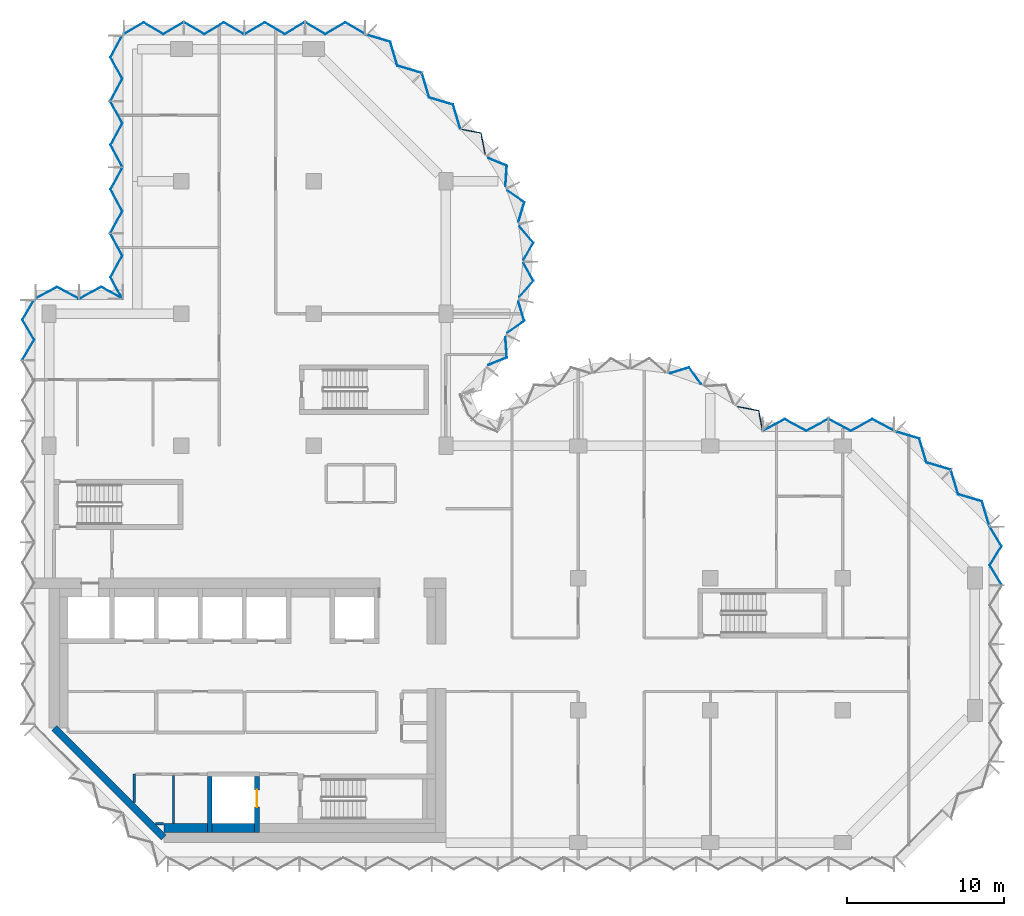
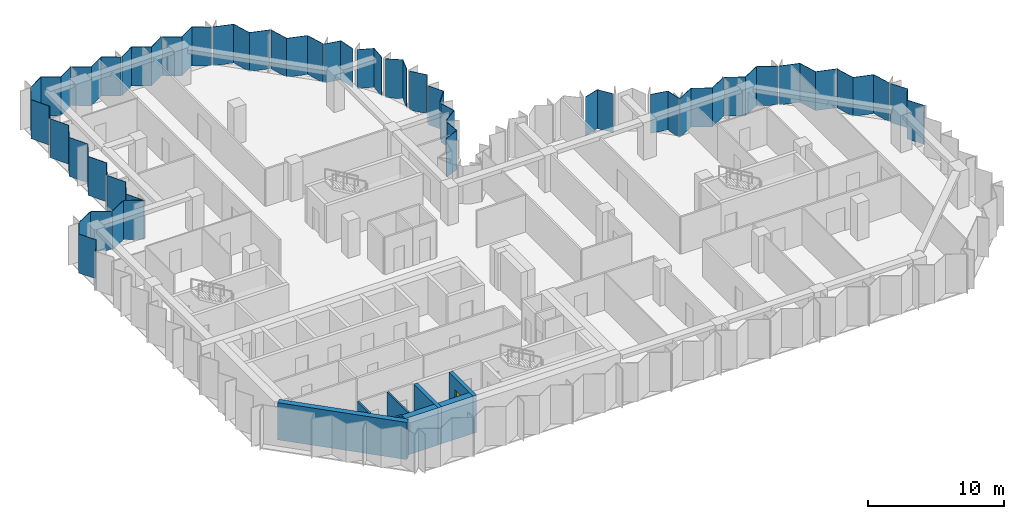
# One storey, part 4 of 10: 27 plates, 8 walls, 1 door, 1 opening, 10 elements without a shape of their own.
"""IFC4 building model written with IfcOpenShell, lengths in metres."""

from ifc_helpers import new_model, si_unit, direction, frame, frame_2d, origin, place, context, subcontext, project, spatial, polyline, rectangle, outline, extrude, material, layer, layer_set, type_object, element, fill, aggregate, save


model = new_model("IFC4")

# Units and contexts
model_context = context("Model", 3, precision=1e-05, world=origin(), true_north=direction((0.0, 1.0)))
body_context = subcontext(model_context, "Body", "Model", "MODEL_VIEW")
ifc_project = project(units=[si_unit("LENGTHUNIT", "METRE"), si_unit("AREAUNIT", "SQUARE_METRE"), si_unit("VOLUMEUNIT", "CUBIC_METRE"), si_unit("PLANEANGLEUNIT", "RADIAN"), si_unit("MASSUNIT", "GRAM", prefix="KILO")], contexts=[model_context])

# Site, building, storey
site_placement = place(None, origin())
site = spatial("IfcSite", under=ifc_project, at=site_placement, CompositionType="ELEMENT")
building_placement = place(site_placement, origin())
building = spatial("IfcBuilding", under=site, at=building_placement, Name="Brevane Broadcast Tower", CompositionType="ELEMENT")
storey_placement = place(building_placement, frame((0.0, 0.0, 166.800048828125)))
storey = spatial("IfcBuildingStorey", under=building, at=storey_placement, Name="L41", CompositionType="ELEMENT", Elevation=166.800048828125)

# Curtain wall, plate
ifc_material_1 = material(Name="Aluminium 6063-T6 bronze anodised", Category="aluminium")
curtain_wall_type = type_object("IfcCurtainWallType", Name="CW-1 curtain wall", PredefinedType="NOTDEFINED", material=ifc_material_1)
curtain_wall_1_placement = place(storey_placement, origin())
curtain_wall_1 = element("IfcCurtainWall", 1, at=curtain_wall_1_placement, inside=storey, type_object=curtain_wall_type, Name="CW-1 typical tilted unit L41 east end", PredefinedType="NOTDEFINED")
ifc_material_2 = material(Name="Laminated glass bronze-tinted", Category="glass")
ifc_layer_1 = layer(ifc_material_2, 0.0400390625)
ifc_layer_set_1 = layer_set([ifc_layer_1], Name="CW tall glass panel 40")
plate_type = type_object("IfcPlateType", Name="CW tall glass panel 40", PredefinedType="CURTAIN_PANEL", material=ifc_layer_set_1)
plate_1_placement = place(storey_placement, frame((0.0, 0.0, -0.150146484375)))
plate_1 = element("IfcPlate", 2, at=plate_1_placement, type_object=plate_type, Name="CW-1 glass panel", PredefinedType="CURTAIN_PANEL", context=body_context, shape_type="SweptSolid", body=[
    extrude(outline(polyline([(60.470947265625, 16.385009765625), (60.517822265625, 16.385009765625), (59.7734375, 17.61181640625), (60.517822265625, 18.83837890625), (59.7734375, 20.06494140625), (59.7265625, 20.06494140625), (60.470947265625, 18.83837890625), (59.7265625, 17.61181640625), (60.470947265625, 16.385009765625)])), origin(), (0.0, 0.0, 1.0), 3.5),
])
aggregate(curtain_wall_1, [plate_1])

# Curtain wall, plates
curtain_wall_2_placement = place(storey_placement, origin())
curtain_wall_2 = element("IfcCurtainWall", 3, at=curtain_wall_2_placement, inside=storey, type_object=curtain_wall_type, Name="CW-1 typical tilted unit L41 north-east chamfer", PredefinedType="NOTDEFINED")
plate_2_placement = place(storey_placement, frame((0.0, 0.0, -0.150146484375)))
plate_2 = element("IfcPlate", 4, at=plate_2_placement, type_object=plate_type, Name="CW-1 glass panel", PredefinedType="CURTAIN_PANEL", context=body_context, shape_type="SweptSolid", body=[
    extrude(outline(polyline([(59.694580078125, 20.14404296875), (59.7265625, 20.176025390625), (59.26953125, 21.68603515625), (57.759521484375, 22.14306640625), (57.302490234375, 23.653076171875), (57.2705078125, 23.620849609375), (57.7275390625, 22.111083984375), (59.2373046875, 21.65380859375), (59.694580078125, 20.14404296875)])), origin(), (0.0, 0.0, 1.0), 3.5),
])
plate_3_placement = place(storey_placement, frame((0.0, 0.0, -0.150146484375)))
plate_3 = element("IfcPlate", 5, at=plate_3_placement, type_object=plate_type, Name="CW-1 glass panel", PredefinedType="CURTAIN_PANEL", context=body_context, shape_type="SweptSolid", body=[
    extrude(outline(polyline([(57.220947265625, 23.67041015625), (57.2529296875, 23.702392578125), (55.7431640625, 24.15966796875), (55.285888671875, 25.66943359375), (53.776123046875, 26.126708984375), (53.744140625, 26.094482421875), (55.25390625, 25.637451171875), (55.711181640625, 24.127685546875), (57.220947265625, 23.67041015625)])), origin(), (0.0, 0.0, 1.0), 3.5),
])
aggregate(curtain_wall_2, [plate_2, plate_3])

curtain_wall_3_placement = place(storey_placement, origin())
curtain_wall_3 = element("IfcCurtainWall", 6, at=curtain_wall_3_placement, inside=storey, type_object=curtain_wall_type, Name="CW-1 typical tilted unit L41 east arm north face", PredefinedType="NOTDEFINED")
plate_4_placement = place(storey_placement, frame((0.0, 0.0, -0.150146484375)))
plate_4 = element("IfcPlate", 7, at=plate_4_placement, type_object=plate_type, Name="CW-1 glass panel", PredefinedType="CURTAIN_PANEL", context=body_context, shape_type="SweptSolid", body=[
    extrude(outline(polyline([(53.6650390625, 26.127197265625), (53.6650390625, 26.172607421875), (52.288330078125, 26.9169921875), (50.91162109375, 26.172607421875), (49.534912109375, 26.9169921875), (49.534912109375, 26.87158203125), (50.91162109375, 26.127197265625), (52.288330078125, 26.87158203125), (53.6650390625, 26.127197265625)])), origin(), (0.0, 0.0, 1.0), 3.5),
])
plate_5_placement = place(storey_placement, frame((0.0, 0.0, -0.150146484375)))
plate_5 = element("IfcPlate", 8, at=plate_5_placement, type_object=plate_type, Name="CW-1 glass panel", PredefinedType="CURTAIN_PANEL", context=body_context, shape_type="SweptSolid", body=[
    extrude(outline(polyline([(49.465087890625, 26.87158203125), (49.465087890625, 26.9169921875), (48.08837890625, 26.172607421875), (46.711669921875, 26.9169921875), (45.3349609375, 26.172607421875), (45.3349609375, 26.127197265625), (46.711669921875, 26.87158203125), (48.08837890625, 26.127197265625), (49.465087890625, 26.87158203125)])), origin(), (0.0, 0.0, 1.0), 3.5),
])
aggregate(curtain_wall_3, [plate_4, plate_5])

curtain_wall_4_placement = place(storey_placement, origin())
curtain_wall_4 = element("IfcCurtainWall", 9, at=curtain_wall_4_placement, inside=storey, type_object=curtain_wall_type, Name="CW-1 typical tilted unit L41 east bow", PredefinedType="NOTDEFINED")
plate_6_placement = place(storey_placement, frame((0.0, 0.0, -0.150146484375)))
plate_6 = element("IfcPlate", 10, at=plate_6_placement, type_object=plate_type, Name="CW-1 glass panel", PredefinedType="CURTAIN_PANEL", context=body_context, shape_type="SweptSolid", body=[
    extrude(outline(polyline([(45.2939453125, 26.14404296875), (45.327880859375, 26.17919921875), (45.086181640625, 27.447265625), (43.738525390625, 27.71142578125), (43.7109375, 27.67626953125), (45.052001953125, 27.4130859375), (45.2939453125, 26.14404296875)])), origin(), (0.0, 0.0, 1.0), 3.5),
])
plate_7_placement = place(storey_placement, frame((0.0, 0.0, -0.150146484375)))
plate_7 = element("IfcPlate", 11, at=plate_7_placement, type_object=plate_type, Name="CW-1 glass panel", PredefinedType="CURTAIN_PANEL", context=body_context, shape_type="SweptSolid", body=[
    extrude(outline(polyline([(41.3994140625, 29.104248046875), (41.4189453125, 29.1455078125), (40.667724609375, 30.20166015625), (39.45068359375, 29.83349609375), (39.440185546875, 29.78857421875), (40.65185546875, 30.155029296875), (41.3994140625, 29.104248046875)])), origin(), (0.0, 0.0, 1.0), 3.5),
])
aggregate(curtain_wall_4, [plate_6, plate_7])

curtain_wall_5_placement = place(storey_placement, origin())
curtain_wall_5 = element("IfcCurtainWall", 12, at=curtain_wall_5_placement, inside=storey, type_object=curtain_wall_type, Name="CW-1 typical tilted unit L41 north bow", PredefinedType="NOTDEFINED")
plate_8_placement = place(storey_placement, frame((0.0, 0.0, -0.150146484375)))
plate_8 = element("IfcPlate", 13, at=plate_8_placement, type_object=plate_type, Name="CW-1 glass panel", PredefinedType="CURTAIN_PANEL", context=body_context, shape_type="SweptSolid", body=[
    extrude(outline(polyline([(27.8759765625, 30.343017578125), (27.912109375, 30.314697265625), (29.089111328125, 30.7958984375), (29.006591796875, 32.08935546875), (28.96533203125, 32.10888671875), (29.04736328125, 30.822265625), (27.8759765625, 30.343017578125)])), origin(), (0.0, 0.0, 1.0), 3.5),
])
plate_9_placement = place(storey_placement, frame((0.0, 0.0, -0.150146484375)))
plate_9 = element("IfcPlate", 14, at=plate_9_placement, type_object=plate_type, Name="CW-1 glass panel", PredefinedType="CURTAIN_PANEL", context=body_context, shape_type="SweptSolid", body=[
    extrude(outline(polyline([(29.104248046875, 32.400634765625), (29.1455078125, 32.381103515625), (30.20166015625, 33.132080078125), (29.83349609375, 34.349365234375), (29.78857421875, 34.359619140625), (30.155029296875, 33.148193359375), (29.104248046875, 32.400634765625)])), origin(), (0.0, 0.0, 1.0), 3.5),
])
plate_10_placement = place(storey_placement, frame((0.0, 0.0, -0.150146484375)))
plate_10 = element("IfcPlate", 15, at=plate_10_placement, type_object=plate_type, Name="CW-1 glass panel", PredefinedType="CURTAIN_PANEL", context=body_context, shape_type="SweptSolid", body=[
    extrude(outline(polyline([(29.859619140625, 34.6748046875), (29.903564453125, 34.664794921875), (30.779296875, 35.68310546875), (30.15869140625, 36.7919921875), (30.11279296875, 36.7919921875), (30.730712890625, 35.68798828125), (29.859619140625, 34.6748046875)])), origin(), (0.0, 0.0, 1.0), 3.5),
])
plate_11_placement = place(storey_placement, frame((0.0, 0.0, -0.150146484375)))
plate_11 = element("IfcPlate", 16, at=plate_11_placement, type_object=plate_type, Name="CW-1 glass panel", PredefinedType="CURTAIN_PANEL", context=body_context, shape_type="SweptSolid", body=[
    extrude(outline(polyline([(30.11279296875, 37.008056640625), (30.15869140625, 37.008056640625), (30.779296875, 38.116943359375), (29.903564453125, 39.13525390625), (29.859619140625, 39.125), (30.730712890625, 38.112060546875), (30.11279296875, 37.008056640625)])), origin(), (0.0, 0.0, 1.0), 3.5),
])
plate_12_placement = place(storey_placement, frame((0.0, 0.0, -0.150146484375)))
plate_12 = element("IfcPlate", 17, at=plate_12_placement, type_object=plate_type, Name="CW-1 glass panel", PredefinedType="CURTAIN_PANEL", context=body_context, shape_type="SweptSolid", body=[
    extrude(outline(polyline([(29.78857421875, 39.440185546875), (29.83349609375, 39.45068359375), (30.20166015625, 40.667724609375), (29.1455078125, 41.4189453125), (29.104248046875, 41.3994140625), (30.155029296875, 40.65185546875), (29.78857421875, 39.440185546875)])), origin(), (0.0, 0.0, 1.0), 3.5),
])
plate_13_placement = place(storey_placement, frame((0.0, 0.0, -0.150146484375)))
plate_13 = element("IfcPlate", 18, at=plate_13_placement, type_object=plate_type, Name="CW-1 glass panel", PredefinedType="CURTAIN_PANEL", context=body_context, shape_type="SweptSolid", body=[
    extrude(outline(polyline([(28.96533203125, 41.69091796875), (29.006591796875, 41.710693359375), (29.089111328125, 43.00390625), (27.912109375, 43.4853515625), (27.8759765625, 43.45703125), (29.04736328125, 42.977783203125), (28.96533203125, 41.69091796875)])), origin(), (0.0, 0.0, 1.0), 3.5),
])
plate_14_placement = place(storey_placement, frame((0.0, 0.0, -0.150146484375)))
plate_14 = element("IfcPlate", 19, at=plate_14_placement, type_object=plate_type, Name="CW-1 glass panel", PredefinedType="CURTAIN_PANEL", context=body_context, shape_type="SweptSolid", body=[
    extrude(outline(polyline([(27.67626953125, 43.7109375), (27.71142578125, 43.738525390625), (27.447265625, 45.086181640625), (26.17919921875, 45.327880859375), (26.14404296875, 45.2939453125), (27.4130859375, 45.052001953125), (27.67626953125, 43.7109375)])), origin(), (0.0, 0.0, 1.0), 3.5),
])
aggregate(curtain_wall_5, [plate_8, plate_9, plate_10, plate_11, plate_12, plate_13, plate_14])

curtain_wall_6_placement = place(storey_placement, origin())
curtain_wall_6 = element("IfcCurtainWall", 20, at=curtain_wall_6_placement, inside=storey, type_object=curtain_wall_type, Name="CW-1 typical tilted unit L41 north arm north-east chamfer", PredefinedType="NOTDEFINED")
plate_15_placement = place(storey_placement, frame((0.0, 0.0, -0.150146484375)))
plate_15 = element("IfcPlate", 21, at=plate_15_placement, type_object=plate_type, Name="CW-1 glass panel", PredefinedType="CURTAIN_PANEL", context=body_context, shape_type="SweptSolid", body=[
    extrude(outline(polyline([(26.094482421875, 45.343994140625), (26.126708984375, 45.376220703125), (25.66943359375, 46.885986328125), (24.15966796875, 47.343017578125), (23.702392578125, 48.85302734375), (23.67041015625, 48.82080078125), (24.127685546875, 47.31103515625), (25.637451171875, 46.85400390625), (26.094482421875, 45.343994140625)])), origin(), (0.0, 0.0, 1.0), 3.5),
])
plate_16_placement = place(storey_placement, frame((0.0, 0.0, -0.150146484375)))
plate_16 = element("IfcPlate", 22, at=plate_16_placement, type_object=plate_type, Name="CW-1 glass panel", PredefinedType="CURTAIN_PANEL", context=body_context, shape_type="SweptSolid", body=[
    extrude(outline(polyline([(23.620849609375, 48.870361328125), (23.653076171875, 48.902587890625), (22.14306640625, 49.359619140625), (21.68603515625, 50.869384765625), (20.176025390625, 51.32666015625), (20.14404296875, 51.294677734375), (21.65380859375, 50.83740234375), (22.111083984375, 49.32763671875), (23.620849609375, 48.870361328125)])), origin(), (0.0, 0.0, 1.0), 3.5),
])
aggregate(curtain_wall_6, [plate_15, plate_16])

curtain_wall_7_placement = place(storey_placement, origin())
curtain_wall_7 = element("IfcCurtainWall", 23, at=curtain_wall_7_placement, inside=storey, type_object=curtain_wall_type, Name="CW-1 typical tilted unit L41 north end", PredefinedType="NOTDEFINED")
plate_17_placement = place(storey_placement, frame((0.0, 0.0, -0.150146484375)))
plate_17 = element("IfcPlate", 24, at=plate_17_placement, type_object=plate_type, Name="CW-1 glass panel", PredefinedType="CURTAIN_PANEL", context=body_context, shape_type="SweptSolid", body=[
    extrude(outline(polyline([(20.06494140625, 51.326904296875), (20.06494140625, 51.373291015625), (18.804931640625, 52.11767578125), (17.544921875, 51.373291015625), (16.284912109375, 52.11767578125), (16.284912109375, 52.0712890625), (17.544921875, 51.326904296875), (18.804931640625, 52.0712890625), (20.06494140625, 51.326904296875)])), origin(), (0.0, 0.0, 1.0), 3.5),
])
plate_18_placement = place(storey_placement, frame((0.0, 0.0, -0.150146484375)))
plate_18 = element("IfcPlate", 25, at=plate_18_placement, type_object=plate_type, Name="CW-1 glass panel", PredefinedType="CURTAIN_PANEL", context=body_context, shape_type="SweptSolid", body=[
    extrude(outline(polyline([(16.215087890625, 52.0712890625), (16.215087890625, 52.11767578125), (14.955078125, 51.373291015625), (13.695068359375, 52.11767578125), (12.43505859375, 51.373291015625), (12.43505859375, 51.326904296875), (13.695068359375, 52.0712890625), (14.955078125, 51.326904296875), (16.215087890625, 52.0712890625)])), origin(), (0.0, 0.0, 1.0), 3.5),
])
plate_19_placement = place(storey_placement, frame((0.0, 0.0, -0.150146484375)))
plate_19 = element("IfcPlate", 26, at=plate_19_placement, type_object=plate_type, Name="CW-1 glass panel", PredefinedType="CURTAIN_PANEL", context=body_context, shape_type="SweptSolid", body=[
    extrude(outline(polyline([(12.364990234375, 51.326904296875), (12.364990234375, 51.373291015625), (11.10498046875, 52.11767578125), (9.844970703125, 51.373291015625), (8.5849609375, 52.11767578125), (8.5849609375, 52.0712890625), (9.844970703125, 51.326904296875), (11.10498046875, 52.0712890625), (12.364990234375, 51.326904296875)])), origin(), (0.0, 0.0, 1.0), 3.5),
])
plate_20_placement = place(storey_placement, frame((0.0, 0.0, -0.150146484375)))
plate_20 = element("IfcPlate", 27, at=plate_20_placement, type_object=plate_type, Name="CW-1 glass panel", PredefinedType="CURTAIN_PANEL", context=body_context, shape_type="SweptSolid", body=[
    extrude(outline(polyline([(8.514892578125, 52.0712890625), (8.514892578125, 52.11767578125), (7.2548828125, 51.373291015625), (5.9951171875, 52.11767578125), (4.735107421875, 51.373291015625), (4.735107421875, 51.326904296875), (5.9951171875, 52.0712890625), (7.2548828125, 51.326904296875), (8.514892578125, 52.0712890625)])), origin(), (0.0, 0.0, 1.0), 3.5),
])
aggregate(curtain_wall_7, [plate_17, plate_18, plate_19, plate_20])

curtain_wall_8_placement = place(storey_placement, origin())
curtain_wall_8 = element("IfcCurtainWall", 28, at=curtain_wall_8_placement, inside=storey, type_object=curtain_wall_type, Name="CW-1 typical tilted unit L41 north wing west face, lower block", PredefinedType="NOTDEFINED")
plate_21_placement = place(storey_placement, frame((0.0, 0.0, -0.150146484375)))
plate_21 = element("IfcPlate", 29, at=plate_21_placement, type_object=plate_type, Name="CW-1 glass panel", PredefinedType="CURTAIN_PANEL", context=body_context, shape_type="SweptSolid", body=[
    extrude(outline(polyline([(4.672607421875, 51.264892578125), (4.627197265625, 51.264892578125), (3.8828125, 49.88818359375), (4.627197265625, 48.51171875), (3.8828125, 47.135009765625), (3.92822265625, 47.135009765625), (4.672607421875, 48.51171875), (3.92822265625, 49.88818359375), (4.672607421875, 51.264892578125)])), origin(), (0.0, 0.0, 1.0), 3.5),
])
plate_22_placement = place(storey_placement, frame((0.0, 0.0, -0.150146484375)))
plate_22 = element("IfcPlate", 30, at=plate_22_placement, type_object=plate_type, Name="CW-1 glass panel", PredefinedType="CURTAIN_PANEL", context=body_context, shape_type="SweptSolid", body=[
    extrude(outline(polyline([(3.92822265625, 47.06494140625), (3.8828125, 47.06494140625), (4.627197265625, 45.688232421875), (3.8828125, 44.311767578125), (4.627197265625, 42.93505859375), (4.672607421875, 42.93505859375), (3.92822265625, 44.311767578125), (4.672607421875, 45.688232421875), (3.92822265625, 47.06494140625)])), origin(), (0.0, 0.0, 1.0), 3.5),
])
plate_23_placement = place(storey_placement, frame((0.0, 0.0, -0.150146484375)))
plate_23 = element("IfcPlate", 31, at=plate_23_placement, type_object=plate_type, Name="CW-1 glass panel", PredefinedType="CURTAIN_PANEL", context=body_context, shape_type="SweptSolid", body=[
    extrude(outline(polyline([(4.672607421875, 42.864990234375), (4.627197265625, 42.864990234375), (3.8828125, 41.48828125), (4.627197265625, 40.11181640625), (3.8828125, 38.735107421875), (3.92822265625, 38.735107421875), (4.672607421875, 40.11181640625), (3.92822265625, 41.48828125), (4.672607421875, 42.864990234375)])), origin(), (0.0, 0.0, 1.0), 3.5),
])
plate_24_placement = place(storey_placement, frame((0.0, 0.0, -0.150146484375)))
plate_24 = element("IfcPlate", 32, at=plate_24_placement, type_object=plate_type, Name="CW-1 glass panel", PredefinedType="CURTAIN_PANEL", context=body_context, shape_type="SweptSolid", body=[
    extrude(outline(polyline([(3.92822265625, 38.6650390625), (3.8828125, 38.6650390625), (4.627197265625, 37.288330078125), (3.8828125, 35.91162109375), (4.627197265625, 34.534912109375), (4.672607421875, 34.534912109375), (3.92822265625, 35.91162109375), (4.672607421875, 37.288330078125), (3.92822265625, 38.6650390625)])), origin(), (0.0, 0.0, 1.0), 3.5),
])
aggregate(curtain_wall_8, [plate_21, plate_22, plate_23, plate_24])

curtain_wall_9_placement = place(storey_placement, origin())
curtain_wall_9 = element("IfcCurtainWall", 33, at=curtain_wall_9_placement, inside=storey, type_object=curtain_wall_type, Name="CW-1 typical tilted unit L41 north wing west return, lower block", PredefinedType="NOTDEFINED")
plate_25_placement = place(storey_placement, frame((0.0, 0.0, -0.150146484375)))
plate_25 = element("IfcPlate", 34, at=plate_25_placement, type_object=plate_type, Name="CW-1 glass panel", PredefinedType="CURTAIN_PANEL", context=body_context, shape_type="SweptSolid", body=[
    extrude(outline(polyline([(4.6650390625, 34.527099609375), (4.6650390625, 34.57275390625), (3.300048828125, 35.317138671875), (1.93505859375, 34.57275390625), (1.93505859375, 34.527099609375), (3.300048828125, 35.271484375), (4.6650390625, 34.527099609375)])), origin(), (0.0, 0.0, 1.0), 3.5),
])
plate_26_placement = place(storey_placement, frame((0.0, 0.0, -0.150146484375)))
plate_26 = element("IfcPlate", 35, at=plate_26_placement, type_object=plate_type, Name="CW-1 glass panel", PredefinedType="CURTAIN_PANEL", context=body_context, shape_type="SweptSolid", body=[
    extrude(outline(polyline([(1.864990234375, 34.527099609375), (1.864990234375, 34.57275390625), (0.5, 35.317138671875), (-0.864990234375, 34.57275390625), (-0.864990234375, 34.527099609375), (0.5, 35.271484375), (1.864990234375, 34.527099609375)])), origin(), (0.0, 0.0, 1.0), 3.5),
])
aggregate(curtain_wall_9, [plate_25, plate_26])

# Curtain wall, plate
curtain_wall_10_placement = place(storey_placement, origin())
curtain_wall_10 = element("IfcCurtainWall", 36, at=curtain_wall_10_placement, inside=storey, type_object=curtain_wall_type, Name="CW-1 typical tilted unit L41 west face", PredefinedType="NOTDEFINED")
plate_27_placement = place(storey_placement, frame((0.0, 0.0, -0.150146484375)))
plate_27 = element("IfcPlate", 37, at=plate_27_placement, type_object=plate_type, Name="CW-1 glass panel", PredefinedType="CURTAIN_PANEL", context=body_context, shape_type="SweptSolid", body=[
    extrude(outline(polyline([(-0.9267578125, 34.465087890625), (-0.97314453125, 34.465087890625), (-1.717529296875, 33.20263671875), (-0.97314453125, 31.940185546875), (-1.717529296875, 30.677978515625), (-1.671142578125, 30.677978515625), (-0.9267578125, 31.940185546875), (-1.671142578125, 33.20263671875), (-0.9267578125, 34.465087890625)])), origin(), (0.0, 0.0, 1.0), 3.5),
])
aggregate(curtain_wall_10, [plate_27])

# Walls
ifc_material_3 = material(Name="Concrete C32/40", Category="concrete")
ifc_layer_2 = layer(ifc_material_3, 0.550048828125)
ifc_layer_set_2 = layer_set([ifc_layer_2], Name="Core chase wall 550 mm")
wall_type_1 = type_object("IfcWallType", Name="Core chase wall 550 mm", PredefinedType="PARTITIONING", material=ifc_layer_set_2)
wall_1_placement = place(storey_placement, frame((7.286376953125, 0.925048828125, 0.0), z_axis=(0.0, 0.0, 1.0), x_axis=(1.0, 0.0, 0.0)))
element("IfcWall", 38, at=wall_1_placement, inside=storey, type_object=wall_type_1, Name="L41 chase wall LS-1", PredefinedType="PARTITIONING", context=body_context, shape_type="SweptSolid", body=[
    extrude(rectangle(XDim=2.763671875, YDim=0.550048828125, at=frame_2d((1.3818359375, 0.0))), origin(), (0.0, 0.0, 1.0), 3.349853515625),
])
wall_2_placement = place(storey_placement, frame((10.35009765625, 0.925048828125, 0.0), z_axis=(0.0, 0.0, 1.0), x_axis=(1.0, 0.0, 0.0)))
element("IfcWall", 39, at=wall_2_placement, inside=storey, type_object=wall_type_1, Name="L41 chase wall LS-2-1", PredefinedType="PARTITIONING", context=body_context, shape_type="SweptSolid", body=[
    extrude(rectangle(XDim=2.699951171875, YDim=0.550048828125, at=frame_2d((1.35009765625, 0.0))), origin(), (0.0, 0.0, 1.0), 3.349853515625),
])
ifc_material_4 = material(Name="Gypsum board on steel studs", Category="steel")
ifc_layer_3 = layer(ifc_material_4, 0.14990234375)
ifc_layer_set_3 = layer_set([ifc_layer_3], Name="Core fire partition 150 mm")
wall_type_2 = type_object("IfcWallType", Name="Core fire partition 150 mm", PredefinedType="PARTITIONING", material=ifc_layer_set_3)
wall_3_placement = place(storey_placement, frame((5.39990234375, 2.553466796875, 0.0), z_axis=(0.0, 0.0, 1.0), x_axis=(0.0, 1.0, 0.0)))
element("IfcWall", 40, at=wall_3_placement, inside=storey, type_object=wall_type_2, Name="L41 partition wall P11", PredefinedType="PARTITIONING", context=body_context, shape_type="SweptSolid", body=[
    extrude(rectangle(XDim=1.796630859375, YDim=0.14990234375, at=frame_2d((0.8984375, 0.0))), origin(), (0.0, 0.0, 1.0), 3.349853515625),
])
wall_4_placement = place(storey_placement, frame((7.89990234375, 4.27490234375, 0.0), z_axis=(0.0, 0.0, 1.0), x_axis=(0.0, -1.0, 0.0)))
element("IfcWall", 41, at=wall_4_placement, inside=storey, type_object=wall_type_2, Name="L41 partition wall P13", PredefinedType="PARTITIONING", context=body_context, shape_type="SweptSolid", body=[
    extrude(rectangle(XDim=3.06298828125, YDim=0.14990234375, at=frame_2d((1.531494140625, 0.0))), origin(), (0.0, 0.0, 1.0), 3.349853515625),
])
wall_5_placement = place(storey_placement, frame((7.2744140625, 1.199951171875, 0.0), z_axis=(0.0, 0.0, 1.0), x_axis=(-1.0, 0.0, 0.0)))
element("IfcWall", 42, at=wall_5_placement, inside=storey, type_object=wall_type_2, Name="L41 partition wall P14", PredefinedType="PARTITIONING", context=body_context, shape_type="SweptSolid", body=[
    extrude(rectangle(XDim=0.52099609375, YDim=0.14990234375, at=frame_2d((0.260498046875, 0.0))), origin(), (0.0, 0.0, 1.0), 3.349853515625),
])
ifc_material_5 = material(Name="Concrete C60/75", Category="concrete")
ifc_layer_4 = layer(ifc_material_5, 0.300048828125)
ifc_layer_set_4 = layer_set([ifc_layer_4], Name="Core wall 300 mm C60/75")
wall_type_3 = type_object("IfcWallType", Name="Core wall 300 mm C60/75", PredefinedType="SHEAR", material=ifc_layer_set_4)
wall_6_placement = place(storey_placement, frame((10.199951171875, 0.64990234375, 0.0), z_axis=(0.0, 0.0, 1.0), x_axis=(0.0, 1.0, 0.0)))
element("IfcWall", 43, at=wall_6_placement, inside=storey, type_object=wall_type_3, Name="L41 shaft wall FF2-W", PredefinedType="SHEAR", context=body_context, shape_type="SweptSolid", body=[
    extrude(rectangle(XDim=3.550048828125, YDim=0.300048828125, at=frame_2d((1.77490234375, 0.0))), origin(), (0.0, 0.0, 1.0), 3.349853515625),
])

# Wall, opening, door
wall_7_placement = place(storey_placement, frame((13.199951171875, 0.64990234375, 0.0), z_axis=(0.0, 0.0, 1.0), x_axis=(0.0, 1.0, 0.0)))
wall_7 = element("IfcWall", 44, at=wall_7_placement, inside=storey, type_object=wall_type_3, Name="L41 shaft wall FF2-E", PredefinedType="SHEAR", context=body_context, shape_type="SweptSolid", body=[
    extrude(rectangle(XDim=3.550048828125, YDim=0.300048828125, at=frame_2d((1.77490234375, 0.0))), origin(), (0.0, 0.0, 1.0), 3.349853515625),
])
opening_placement = place(wall_7_placement, frame((1.60009765625, 0.0, 0.0)))
opening = element("IfcOpeningElement", 45, at=opening_placement, cuts=wall_7, Name="Opening LD", PredefinedType="OPENING", context=body_context, shape_type="SweptSolid", body=[
    extrude(rectangle(XDim=1.10009765625, YDim=2.300048828125, at=frame_2d((0.550048828125, 1.14990234375))), frame((0.0, 0.159912109375, 0.0), z_axis=(0.0, -1.0, 0.0), x_axis=(1.0, 0.0, 0.0)), (0.0, 0.0, 1.0), 0.320068359375),
])
ifc_material_6 = material(Name="Stainless steel", Category="steel")
door_type = type_object("IfcDoorType", Name="Lift landing door", OperationType="SLIDING_TO_LEFT", PredefinedType="DOOR", material=ifc_material_6)
door_placement = place(opening_placement, origin())
door = element("IfcDoor", 46, at=door_placement, inside=storey, type_object=door_type, Name="Landing door FF2 L41", OperationType="SLIDING_TO_LEFT", OverallHeight=2.300048828125, OverallWidth=1.10009765625, PredefinedType="DOOR", context=body_context, shape_type="SweptSolid", body=[
    extrude(rectangle(XDim=1.10009765625, YDim=2.300048828125, at=frame_2d((0.550048828125, 1.14990234375))), frame((0.0, 0.02490234375, 0.0), z_axis=(0.0, -1.0, 0.0), x_axis=(1.0, 0.0, 0.0)), (0.0, 0.0, 1.0), 0.050048828125),
])
fill(opening, door)

# Wall
ifc_layer_5 = layer(ifc_material_5, 0.449951171875)
ifc_layer_set_5 = layer_set([ifc_layer_5], Name="Core wall 450 mm C60/75")
wall_type_4 = type_object("IfcWallType", Name="Core wall 450 mm C60/75", PredefinedType="SHEAR", material=ifc_layer_set_5)
wall_8_placement = place(storey_placement, frame((0.324951171875, 7.293212890625, 0.0), z_axis=(0.0, 0.0, 1.0), x_axis=(0.707106781187, -0.707106781187, 0.0)))
element("IfcWall", 47, at=wall_8_placement, inside=storey, type_object=wall_type_4, Name="L41 outer wall WC", PredefinedType="SHEAR", context=body_context, shape_type="SweptSolid", body=[
    extrude(rectangle(XDim=9.8544921875, YDim=0.449951171875, at=frame_2d((4.92724609375, 0.0))), origin(), (0.0, 0.0, 1.0), 3.349853515625),
])

save(model, "model.ifc")
